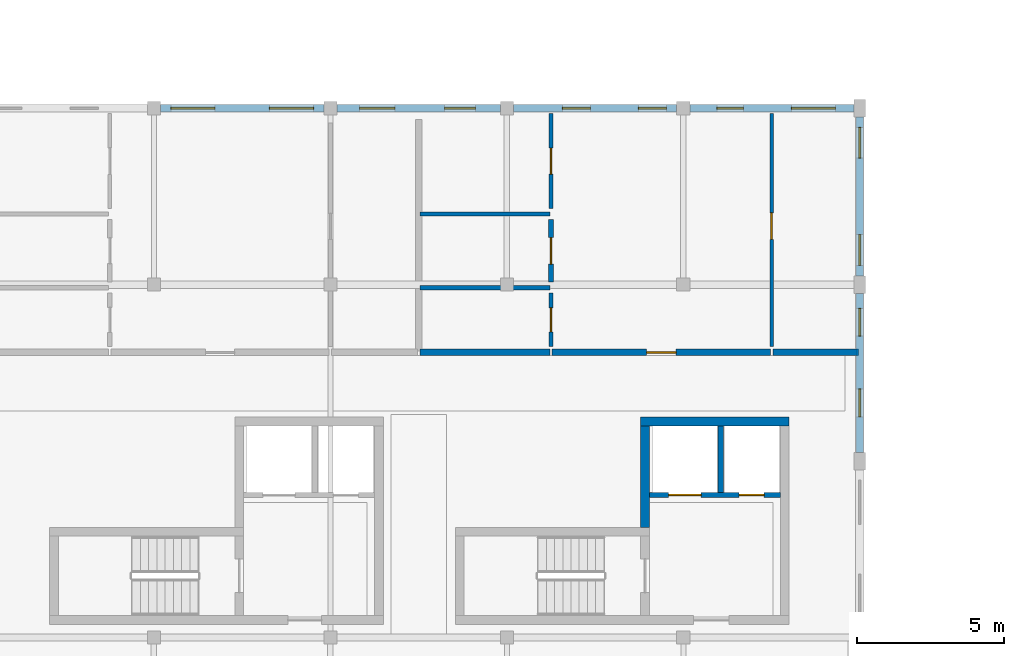
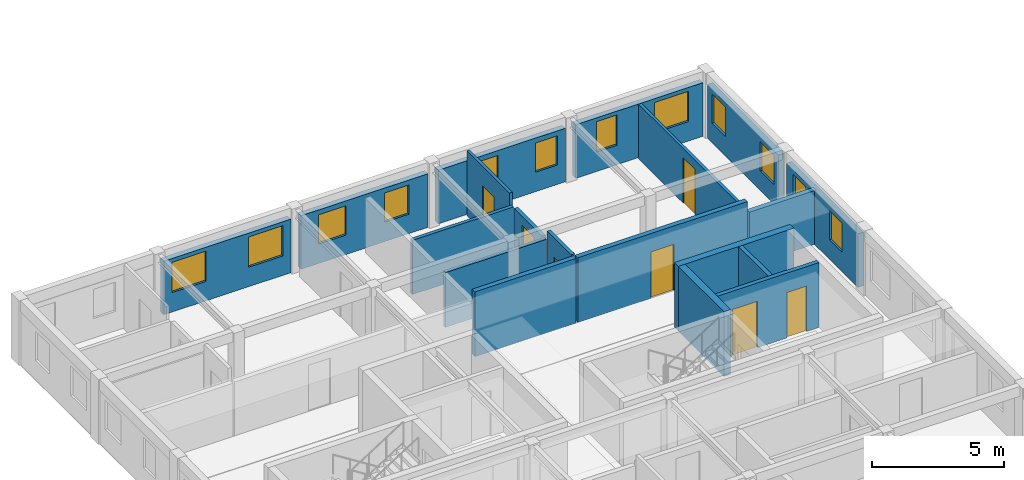
# One storey, part 5 of 9: 19 walls, 12 windows, 7 doors, 19 openings.
"""IFC4 building model written with IfcOpenShell, lengths in metres."""

from ifc_helpers import new_model, si_unit, direction, frame, frame_2d, origin, place, context, subcontext, project, spatial, rectangle, extrude, material, layer, layer_set, type_object, element, fill, save


model = new_model("IFC4")

# Units and contexts
model_context = context("Model", 3, precision=1e-05, world=origin(), true_north=direction((0.0, 1.0)))
body_context = subcontext(model_context, "Body", "Model", "MODEL_VIEW")
ifc_project = project(units=[si_unit("LENGTHUNIT", "METRE"), si_unit("AREAUNIT", "SQUARE_METRE"), si_unit("VOLUMEUNIT", "CUBIC_METRE"), si_unit("PLANEANGLEUNIT", "RADIAN"), si_unit("MASSUNIT", "GRAM", prefix="KILO"), si_unit("POWERUNIT", "WATT"), si_unit("THERMODYNAMICTEMPERATUREUNIT", "KELVIN")], contexts=[model_context])

# Site, building, storey
site_placement = place(None, origin())
site = spatial("IfcSite", under=ifc_project, at=site_placement, CompositionType="ELEMENT")
building_placement = place(site_placement, origin())
building = spatial("IfcBuilding", under=site, at=building_placement, Name="Ruvembo Vaulted Housing Court", CompositionType="ELEMENT")
storey_placement = place(building_placement, frame((0.0, 0.0, 36.5)))
storey = spatial("IfcBuildingStorey", under=building, at=storey_placement, Name="L11", CompositionType="ELEMENT", Elevation=36.5)

# Walls
ifc_material_1 = material(Name="Concrete C35/45", Category="concrete")
ifc_layer_1 = layer(ifc_material_1, 0.300048828125, Name="Concrete C35/45")
ifc_layer_set_1 = layer_set([ifc_layer_1], Name="Concrete C35/45")
wall_type_1 = type_object("IfcWallType", Name="WL-CORE-300", PredefinedType="SHEAR", material=ifc_layer_set_1)
wall_1_placement = place(storey_placement, frame((27.60009765625, 25.35009765625, 0.0), z_axis=(0.0, 0.0, 1.0), x_axis=(-1.0, 0.0, 0.0)))
element("IfcWall", 1, at=wall_1_placement, inside=storey, type_object=wall_type_1, Name="Core A2 L11 North Shear Wall", PredefinedType="SHEAR", context=body_context, shape_type="SweptSolid", body=[
    extrude(rectangle(XDim=5.050048828125, YDim=0.300048828125, at=frame_2d((2.52490234375, 0.0))), origin(), (0.0, 0.0, 1.0), 2.9951171875),
])
wall_2_placement = place(storey_placement, frame((22.699951171875, 21.75, 0.0), z_axis=(0.0, 0.0, 1.0), x_axis=(0.0, 1.0, 0.0)))
element("IfcWall", 2, at=wall_2_placement, inside=storey, type_object=wall_type_1, Name="Core A2 L11 Upper West Shear Wall", PredefinedType="SHEAR", context=body_context, shape_type="SweptSolid", body=[
    extrude(rectangle(XDim=3.449951171875, YDim=0.300048828125, at=frame_2d((1.72509765625, 0.0))), origin(), (0.0, 0.0, 1.0), 2.9951171875),
])
ifc_material_2 = material(Name="Concrete Blockwork 210", Category="masonry")
ifc_layer_2 = layer(ifc_material_2, 0.2099609375, Name="Concrete Blockwork 210")
ifc_layer_set_2 = layer_set([ifc_layer_2], Name="Concrete Blockwork 210")
wall_type_2 = type_object("IfcWallType", Name="WL-CORR-210", PredefinedType="SOLIDWALL", material=ifc_layer_set_2)
wall_3_placement = place(storey_placement, frame((15.0400390625, 27.699951171875, 0.0), z_axis=(0.0, 0.0, 1.0), x_axis=(1.0, 0.0, 0.0)))
element("IfcWall", 3, at=wall_3_placement, inside=storey, type_object=wall_type_2, Name="L11 Flat A-L11-N2 Corridor Wall WL-INT-L11-02297", PredefinedType="SOLIDWALL", context=body_context, shape_type="SweptSolid", body=[
    extrude(rectangle(XDim=4.419921875, YDim=0.2099609375, at=frame_2d((2.2099609375, 0.0))), origin(), (0.0, 0.0, 1.0), 2.9951171875),
])

# Wall, opening, door
wall_4_placement = place(storey_placement, frame((19.5400390625, 27.699951171875, 0.0), z_axis=(0.0, 0.0, 1.0), x_axis=(1.0, 0.0, 0.0)))
wall_4 = element("IfcWall", 4, at=wall_4_placement, inside=storey, type_object=wall_type_2, Name="L11 Flat A-L11-N2 Entrance WL-INT-L11-02298", PredefinedType="SOLIDWALL", context=body_context, shape_type="SweptSolid", body=[
    extrude(rectangle(XDim=7.419921875, YDim=0.2099609375, at=frame_2d((3.7099609375, 0.0))), origin(), (0.0, 0.0, 1.0), 2.9951171875),
])
opening_1_placement = place(wall_4_placement, frame((3.2099609375, 0.0, 0.0)))
opening_1 = element("IfcOpeningElement", 5, at=opening_1_placement, cuts=wall_4, Name="Opening FD1", PredefinedType="OPENING", context=body_context, shape_type="SweptSolid", body=[
    extrude(rectangle(XDim=1.0, YDim=2.14990234375, at=frame_2d((0.5, 1.074951171875))), frame((0.0, 0.114990234375, 0.0), z_axis=(0.0, -1.0, 0.0), x_axis=(1.0, 0.0, 0.0)), (0.0, 0.0, 1.0), 0.22998046875),
])
ifc_material_3 = material(Name="FSC Hardwood and Engineered Timber", Category="wood")
door_type_1 = type_object("IfcDoorType", Name="DR-FLAT-1000x2150", OperationType="NOTDEFINED", PredefinedType="DOOR", material=ifc_material_3)
door_1_placement = place(opening_1_placement, origin())
door_1 = element("IfcDoor", 6, at=door_1_placement, inside=storey, type_object=door_type_1, Name="L11 Flat A-L11-N2 Entrance Door DR-INT-L11-01272", OperationType="SINGLE_SWING_RIGHT", OverallHeight=2.14990234375, OverallWidth=1.0, PredefinedType="DOOR", context=body_context, shape_type="SweptSolid", body=[
    extrude(rectangle(XDim=1.0, YDim=2.14990234375, at=frame_2d((0.5, 1.074951171875))), frame((0.0, 0.02490234375, 0.0), z_axis=(0.0, -1.0, 0.0), x_axis=(1.0, 0.0, 0.0)), (0.0, 0.0, 1.0), 0.050048828125),
])
fill(opening_1, door_1)

# Wall
wall_5_placement = place(storey_placement, frame((27.0400390625, 27.699951171875, 0.0), z_axis=(0.0, 0.0, 1.0), x_axis=(1.0, 0.0, 0.0)))
element("IfcWall", 7, at=wall_5_placement, inside=storey, type_object=wall_type_2, Name="L11 Flat A-L11-N2 Corridor Wall 2 WL-INT-L11-02304", PredefinedType="SOLIDWALL", context=body_context, shape_type="SweptSolid", body=[
    extrude(rectangle(XDim=2.919921875, YDim=0.2099609375, at=frame_2d((1.4599609375, 0.0))), origin(), (0.0, 0.0, 1.0), 2.47705078125),
])

# Wall, openings, windows
ifc_material_4 = material(Name="Rendered Masonry 245", Category="masonry")
ifc_layer_3 = layer(ifc_material_4, 0.2451171875, Name="Rendered Masonry 245")
ifc_layer_set_3 = layer_set([ifc_layer_3], Name="Rendered Masonry 245")
wall_type_3 = type_object("IfcWallType", Name="WL-EXT-245", PredefinedType="STANDARD", material=ifc_layer_set_3)
wall_6_placement = place(storey_placement, frame((30.0, 24.300048828125, 0.0), z_axis=(0.0, 0.0, 1.0), x_axis=(0.0, 1.0, 0.0)))
wall_6 = element("IfcWall", 8, at=wall_6_placement, inside=storey, type_object=wall_type_3, Name="Block A L11 Exterior Wall EAST #4", PredefinedType="STANDARD", context=body_context, shape_type="SweptSolid", body=[
    extrude(rectangle(XDim=5.39990234375, YDim=0.2451171875, at=frame_2d((2.699951171875, 0.0))), origin(), (0.0, 0.0, 1.0), 2.47705078125),
])
opening_2_placement = place(wall_6_placement, frame((1.205078125, 0.0, 0.89990234375)))
opening_2 = element("IfcOpeningElement", 9, at=opening_2_placement, cuts=wall_6, Name="Opening W07", PredefinedType="OPENING", context=body_context, shape_type="SweptSolid", body=[
    extrude(rectangle(XDim=0.949951171875, YDim=1.35009765625, at=frame_2d((0.47509765625, 0.675048828125))), frame((0.0, 0.132568359375, 0.0), z_axis=(0.0, -1.0, 0.0), x_axis=(1.0, 0.0, 0.0)), (0.0, 0.0, 1.0), 0.26513671875),
])
opening_3_placement = place(wall_6_placement, frame((3.945068359375, 0.0, 0.89990234375)))
opening_3 = element("IfcOpeningElement", 10, at=opening_3_placement, cuts=wall_6, Name="Opening W07", PredefinedType="OPENING", context=body_context, shape_type="SweptSolid", body=[
    extrude(rectangle(XDim=0.949951171875, YDim=1.35009765625, at=frame_2d((0.47509765625, 0.675048828125))), frame((0.0, 0.132568359375, 0.0), z_axis=(0.0, -1.0, 0.0), x_axis=(1.0, 0.0, 0.0)), (0.0, 0.0, 1.0), 0.26513671875),
])
ifc_material_5 = material(Name="Double Solar-Control Glazing in Aluminium Frame", Category="aluminium")
window_type_1 = type_object("IfcWindowType", Name="WIN-0950x1350", PartitioningType="SINGLE_PANEL", PredefinedType="WINDOW", material=ifc_material_5)
window_1_placement = place(opening_2_placement, origin())
window_1 = element("IfcWindow", 11, at=window_1_placement, inside=storey, type_object=window_type_1, Name="Block A L11 Window #487", OverallHeight=1.35009765625, OverallWidth=0.949951171875, PartitioningType="SINGLE_PANEL", PredefinedType="WINDOW", context=body_context, shape_type="SweptSolid", body=[
    extrude(rectangle(XDim=0.949951171875, YDim=1.35009765625, at=frame_2d((0.47509765625, 0.675048828125))), frame((0.0, 0.030029296875, 0.0), z_axis=(0.0, -1.0, 0.0), x_axis=(1.0, 0.0, 0.0)), (0.0, 0.0, 1.0), 0.06005859375),
])
fill(opening_2, window_1)
window_2_placement = place(opening_3_placement, origin())
window_2 = element("IfcWindow", 12, at=window_2_placement, inside=storey, type_object=window_type_1, Name="Block A L11 Window #488", OverallHeight=1.35009765625, OverallWidth=0.949951171875, PartitioningType="SINGLE_PANEL", PredefinedType="WINDOW", context=body_context, shape_type="SweptSolid", body=[
    extrude(rectangle(XDim=0.949951171875, YDim=1.35009765625, at=frame_2d((0.47509765625, 0.675048828125))), frame((0.0, 0.030029296875, 0.0), z_axis=(0.0, -1.0, 0.0), x_axis=(1.0, 0.0, 0.0)), (0.0, 0.0, 1.0), 0.06005859375),
])
fill(opening_3, window_2)

wall_7_placement = place(storey_placement, frame((30.0, 30.300048828125, 0.0), z_axis=(0.0, 0.0, 1.0), x_axis=(0.0, 1.0, 0.0)))
wall_7 = element("IfcWall", 13, at=wall_7_placement, inside=storey, type_object=wall_type_3, Name="Block A L11 Exterior Wall EAST #5", PredefinedType="STANDARD", context=body_context, shape_type="SweptSolid", body=[
    extrude(rectangle(XDim=5.39990234375, YDim=0.2451171875, at=frame_2d((2.699951171875, 0.0))), origin(), (0.0, 0.0, 1.0), 2.47705078125),
])
opening_4_placement = place(wall_7_placement, frame((0.35009765625, 0.0, 0.89990234375)))
opening_4 = element("IfcOpeningElement", 14, at=opening_4_placement, cuts=wall_7, Name="Opening W09", PredefinedType="OPENING", context=body_context, shape_type="SweptSolid", body=[
    extrude(rectangle(XDim=1.050048828125, YDim=1.35009765625, at=frame_2d((0.52490234375, 0.675048828125))), frame((0.0, 0.132568359375, 0.0), z_axis=(0.0, -1.0, 0.0), x_axis=(1.0, 0.0, 0.0)), (0.0, 0.0, 1.0), 0.26513671875),
])
opening_5_placement = place(wall_7_placement, frame((4.0, 0.0, 0.89990234375)))
opening_5 = element("IfcOpeningElement", 15, at=opening_5_placement, cuts=wall_7, Name="Opening W09", PredefinedType="OPENING", context=body_context, shape_type="SweptSolid", body=[
    extrude(rectangle(XDim=1.050048828125, YDim=1.35009765625, at=frame_2d((0.52490234375, 0.675048828125))), frame((0.0, 0.132568359375, 0.0), z_axis=(0.0, -1.0, 0.0), x_axis=(1.0, 0.0, 0.0)), (0.0, 0.0, 1.0), 0.26513671875),
])
window_type_2 = type_object("IfcWindowType", Name="WIN-1050x1350", PartitioningType="SINGLE_PANEL", PredefinedType="WINDOW", material=ifc_material_5)
window_3_placement = place(opening_4_placement, origin())
window_3 = element("IfcWindow", 16, at=window_3_placement, inside=storey, type_object=window_type_2, Name="Block A L11 Window #489", OverallHeight=1.35009765625, OverallWidth=1.050048828125, PartitioningType="SINGLE_PANEL", PredefinedType="WINDOW", context=body_context, shape_type="SweptSolid", body=[
    extrude(rectangle(XDim=1.050048828125, YDim=1.35009765625, at=frame_2d((0.52490234375, 0.675048828125))), frame((0.0, 0.030029296875, 0.0), z_axis=(0.0, -1.0, 0.0), x_axis=(1.0, 0.0, 0.0)), (0.0, 0.0, 1.0), 0.06005859375),
])
fill(opening_4, window_3)
window_4_placement = place(opening_5_placement, origin())
window_4 = element("IfcWindow", 17, at=window_4_placement, inside=storey, type_object=window_type_2, Name="Block A L11 Window #490", OverallHeight=1.35009765625, OverallWidth=1.050048828125, PartitioningType="SINGLE_PANEL", PredefinedType="WINDOW", context=body_context, shape_type="SweptSolid", body=[
    extrude(rectangle(XDim=1.050048828125, YDim=1.35009765625, at=frame_2d((0.52490234375, 0.675048828125))), frame((0.0, 0.030029296875, 0.0), z_axis=(0.0, -1.0, 0.0), x_axis=(1.0, 0.0, 0.0)), (0.0, 0.0, 1.0), 0.06005859375),
])
fill(opening_5, window_4)

wall_8_placement = place(storey_placement, frame((29.800048828125, 36.0, 0.0), z_axis=(0.0, 0.0, 1.0), x_axis=(-1.0, 0.0, 0.0)))
wall_8 = element("IfcWall", 18, at=wall_8_placement, inside=storey, type_object=wall_type_3, Name="Block A L11 Exterior Wall COURTYARD #1", PredefinedType="STANDARD", context=body_context, shape_type="SweptSolid", body=[
    extrude(rectangle(XDim=5.574951171875, YDim=0.2451171875, at=frame_2d((2.78759765625, 0.0))), origin(), (0.0, 0.0, 1.0), 2.47705078125),
])
opening_6_placement = place(wall_8_placement, frame((0.6298828125, 0.0, 0.89990234375)))
opening_6 = element("IfcOpeningElement", 19, at=opening_6_placement, cuts=wall_8, Name="Opening W18", PredefinedType="OPENING", context=body_context, shape_type="SweptSolid", body=[
    extrude(rectangle(XDim=1.5, YDim=1.39990234375, at=frame_2d((0.75, 0.699951171875))), frame((0.0, 0.132568359375, 0.0), z_axis=(0.0, -1.0, 0.0), x_axis=(1.0, 0.0, 0.0)), (0.0, 0.0, 1.0), 0.26513671875),
])
opening_7_placement = place(wall_8_placement, frame((3.757568359375, 0.0, 0.89990234375)))
opening_7 = element("IfcOpeningElement", 20, at=opening_7_placement, cuts=wall_8, Name="Opening W05", PredefinedType="OPENING", context=body_context, shape_type="SweptSolid", body=[
    extrude(rectangle(XDim=0.89990234375, YDim=1.39990234375, at=frame_2d((0.449951171875, 0.699951171875))), frame((0.0, 0.132568359375, 0.0), z_axis=(0.0, -1.0, 0.0), x_axis=(1.0, 0.0, 0.0)), (0.0, 0.0, 1.0), 0.26513671875),
])
window_type_3 = type_object("IfcWindowType", Name="WIN-0900x1400", PartitioningType="SINGLE_PANEL", PredefinedType="WINDOW", material=ifc_material_5)
window_5_placement = place(opening_7_placement, origin())
window_5 = element("IfcWindow", 21, at=window_5_placement, inside=storey, type_object=window_type_3, Name="Block A L11 Window #492", OverallHeight=1.39990234375, OverallWidth=0.89990234375, PartitioningType="SINGLE_PANEL", PredefinedType="WINDOW", context=body_context, shape_type="SweptSolid", body=[
    extrude(rectangle(XDim=0.89990234375, YDim=1.39990234375, at=frame_2d((0.449951171875, 0.699951171875))), frame((0.0, 0.030029296875, 0.0), z_axis=(0.0, -1.0, 0.0), x_axis=(1.0, 0.0, 0.0)), (0.0, 0.0, 1.0), 0.06005859375),
])
fill(opening_7, window_5)
window_type_4 = type_object("IfcWindowType", Name="WIN-1500x1400", PartitioningType="SINGLE_PANEL", PredefinedType="WINDOW", material=ifc_material_5)
window_6_placement = place(opening_6_placement, origin())
window_6 = element("IfcWindow", 22, at=window_6_placement, inside=storey, type_object=window_type_4, Name="Block A L11 Window #491", OverallHeight=1.39990234375, OverallWidth=1.5, PartitioningType="SINGLE_PANEL", PredefinedType="WINDOW", context=body_context, shape_type="SweptSolid", body=[
    extrude(rectangle(XDim=1.5, YDim=1.39990234375, at=frame_2d((0.75, 0.699951171875))), frame((0.0, 0.030029296875, 0.0), z_axis=(0.0, -1.0, 0.0), x_axis=(1.0, 0.0, 0.0)), (0.0, 0.0, 1.0), 0.06005859375),
])
fill(opening_6, window_6)

wall_9_placement = place(storey_placement, frame((23.77490234375, 36.0, 0.0), z_axis=(0.0, 0.0, 1.0), x_axis=(-1.0, 0.0, 0.0)))
wall_9 = element("IfcWall", 23, at=wall_9_placement, inside=storey, type_object=wall_type_3, Name="Block A L11 Exterior Wall COURTYARD #2", PredefinedType="STANDARD", context=body_context, shape_type="SweptSolid", body=[
    extrude(rectangle(XDim=5.5498046875, YDim=0.2451171875, at=frame_2d((2.77490234375, 0.0))), origin(), (0.0, 0.0, 1.0), 2.47705078125),
])
opening_8_placement = place(wall_9_placement, frame((0.35009765625, 0.0, 0.89990234375)))
opening_8 = element("IfcOpeningElement", 24, at=opening_8_placement, cuts=wall_9, Name="Opening W07", PredefinedType="OPENING", context=body_context, shape_type="SweptSolid", body=[
    extrude(rectangle(XDim=0.949951171875, YDim=1.35009765625, at=frame_2d((0.47509765625, 0.675048828125))), frame((0.0, 0.132568359375, 0.0), z_axis=(0.0, -1.0, 0.0), x_axis=(1.0, 0.0, 0.0)), (0.0, 0.0, 1.0), 0.26513671875),
])
opening_9_placement = place(wall_9_placement, frame((2.93505859375, 0.0, 0.89990234375)))
opening_9 = element("IfcOpeningElement", 25, at=opening_9_placement, cuts=wall_9, Name="Opening W07", PredefinedType="OPENING", context=body_context, shape_type="SweptSolid", body=[
    extrude(rectangle(XDim=0.949951171875, YDim=1.35009765625, at=frame_2d((0.47509765625, 0.675048828125))), frame((0.0, 0.132568359375, 0.0), z_axis=(0.0, -1.0, 0.0), x_axis=(1.0, 0.0, 0.0)), (0.0, 0.0, 1.0), 0.26513671875),
])
window_7_placement = place(opening_8_placement, origin())
window_7 = element("IfcWindow", 26, at=window_7_placement, inside=storey, type_object=window_type_1, Name="Block A L11 Window #493", OverallHeight=1.35009765625, OverallWidth=0.949951171875, PartitioningType="SINGLE_PANEL", PredefinedType="WINDOW", context=body_context, shape_type="SweptSolid", body=[
    extrude(rectangle(XDim=0.949951171875, YDim=1.35009765625, at=frame_2d((0.47509765625, 0.675048828125))), frame((0.0, 0.030029296875, 0.0), z_axis=(0.0, -1.0, 0.0), x_axis=(1.0, 0.0, 0.0)), (0.0, 0.0, 1.0), 0.06005859375),
])
fill(opening_8, window_7)
window_8_placement = place(opening_9_placement, origin())
window_8 = element("IfcWindow", 27, at=window_8_placement, inside=storey, type_object=window_type_1, Name="Block A L11 Window #494", OverallHeight=1.35009765625, OverallWidth=0.949951171875, PartitioningType="SINGLE_PANEL", PredefinedType="WINDOW", context=body_context, shape_type="SweptSolid", body=[
    extrude(rectangle(XDim=0.949951171875, YDim=1.35009765625, at=frame_2d((0.47509765625, 0.675048828125))), frame((0.0, 0.030029296875, 0.0), z_axis=(0.0, -1.0, 0.0), x_axis=(1.0, 0.0, 0.0)), (0.0, 0.0, 1.0), 0.06005859375),
])
fill(opening_9, window_8)

wall_10_placement = place(storey_placement, frame((17.77490234375, 36.0, 0.0), z_axis=(0.0, 0.0, 1.0), x_axis=(-1.0, 0.0, 0.0)))
wall_10 = element("IfcWall", 28, at=wall_10_placement, inside=storey, type_object=wall_type_3, Name="Block A L11 Exterior Wall COURTYARD #3", PredefinedType="STANDARD", context=body_context, shape_type="SweptSolid", body=[
    extrude(rectangle(XDim=5.5498046875, YDim=0.2451171875, at=frame_2d((2.77490234375, 0.0))), origin(), (0.0, 0.0, 1.0), 2.47705078125),
])
opening_10_placement = place(wall_10_placement, frame((0.842529296875, 0.0, 0.89990234375)))
opening_10 = element("IfcOpeningElement", 29, at=opening_10_placement, cuts=wall_10, Name="Opening W09", PredefinedType="OPENING", context=body_context, shape_type="SweptSolid", body=[
    extrude(rectangle(XDim=1.050048828125, YDim=1.35009765625, at=frame_2d((0.52490234375, 0.675048828125))), frame((0.0, 0.132568359375, 0.0), z_axis=(0.0, -1.0, 0.0), x_axis=(1.0, 0.0, 0.0)), (0.0, 0.0, 1.0), 0.26513671875),
])
opening_11_placement = place(wall_10_placement, frame((3.58251953125, 0.0, 0.89990234375)))
opening_11 = element("IfcOpeningElement", 30, at=opening_11_placement, cuts=wall_10, Name="Opening W12", PredefinedType="OPENING", context=body_context, shape_type="SweptSolid", body=[
    extrude(rectangle(XDim=1.199951171875, YDim=1.35009765625, at=frame_2d((0.60009765625, 0.675048828125))), frame((0.0, 0.132568359375, 0.0), z_axis=(0.0, -1.0, 0.0), x_axis=(1.0, 0.0, 0.0)), (0.0, 0.0, 1.0), 0.26513671875),
])
window_9_placement = place(opening_10_placement, origin())
window_9 = element("IfcWindow", 31, at=window_9_placement, inside=storey, type_object=window_type_2, Name="Block A L11 Window #495", OverallHeight=1.35009765625, OverallWidth=1.050048828125, PartitioningType="SINGLE_PANEL", PredefinedType="WINDOW", context=body_context, shape_type="SweptSolid", body=[
    extrude(rectangle(XDim=1.050048828125, YDim=1.35009765625, at=frame_2d((0.52490234375, 0.675048828125))), frame((0.0, 0.030029296875, 0.0), z_axis=(0.0, -1.0, 0.0), x_axis=(1.0, 0.0, 0.0)), (0.0, 0.0, 1.0), 0.06005859375),
])
fill(opening_10, window_9)
window_type_5 = type_object("IfcWindowType", Name="WIN-1200x1350", PartitioningType="SINGLE_PANEL", PredefinedType="WINDOW", material=ifc_material_5)
window_10_placement = place(opening_11_placement, origin())
window_10 = element("IfcWindow", 32, at=window_10_placement, inside=storey, type_object=window_type_5, Name="Block A L11 Window #496", OverallHeight=1.35009765625, OverallWidth=1.199951171875, PartitioningType="SINGLE_PANEL", PredefinedType="WINDOW", context=body_context, shape_type="SweptSolid", body=[
    extrude(rectangle(XDim=1.199951171875, YDim=1.35009765625, at=frame_2d((0.60009765625, 0.675048828125))), frame((0.0, 0.030029296875, 0.0), z_axis=(0.0, -1.0, 0.0), x_axis=(1.0, 0.0, 0.0)), (0.0, 0.0, 1.0), 0.06005859375),
])
fill(opening_11, window_10)

wall_11_placement = place(storey_placement, frame((11.77490234375, 36.0, 0.0), z_axis=(0.0, 0.0, 1.0), x_axis=(-1.0, 0.0, 0.0)))
wall_11 = element("IfcWall", 33, at=wall_11_placement, inside=storey, type_object=wall_type_3, Name="Block A L11 Exterior Wall COURTYARD #4", PredefinedType="STANDARD", context=body_context, shape_type="SweptSolid", body=[
    extrude(rectangle(XDim=5.5498046875, YDim=0.2451171875, at=frame_2d((2.77490234375, 0.0))), origin(), (0.0, 0.0, 1.0), 2.47705078125),
])
opening_12_placement = place(wall_11_placement, frame((0.35009765625, 0.0, 0.89990234375)))
opening_12 = element("IfcOpeningElement", 34, at=opening_12_placement, cuts=wall_11, Name="Opening W18", PredefinedType="OPENING", context=body_context, shape_type="SweptSolid", body=[
    extrude(rectangle(XDim=1.5, YDim=1.39990234375, at=frame_2d((0.75, 0.699951171875))), frame((0.0, 0.132568359375, 0.0), z_axis=(0.0, -1.0, 0.0), x_axis=(1.0, 0.0, 0.0)), (0.0, 0.0, 1.0), 0.26513671875),
])
opening_13_placement = place(wall_11_placement, frame((3.699951171875, 0.0, 0.89990234375)))
opening_13 = element("IfcOpeningElement", 35, at=opening_13_placement, cuts=wall_11, Name="Opening W18", PredefinedType="OPENING", context=body_context, shape_type="SweptSolid", body=[
    extrude(rectangle(XDim=1.5, YDim=1.39990234375, at=frame_2d((0.75, 0.699951171875))), frame((0.0, 0.132568359375, 0.0), z_axis=(0.0, -1.0, 0.0), x_axis=(1.0, 0.0, 0.0)), (0.0, 0.0, 1.0), 0.26513671875),
])
window_11_placement = place(opening_12_placement, origin())
window_11 = element("IfcWindow", 36, at=window_11_placement, inside=storey, type_object=window_type_4, Name="Block A L11 Window #497", OverallHeight=1.39990234375, OverallWidth=1.5, PartitioningType="SINGLE_PANEL", PredefinedType="WINDOW", context=body_context, shape_type="SweptSolid", body=[
    extrude(rectangle(XDim=1.5, YDim=1.39990234375, at=frame_2d((0.75, 0.699951171875))), frame((0.0, 0.030029296875, 0.0), z_axis=(0.0, -1.0, 0.0), x_axis=(1.0, 0.0, 0.0)), (0.0, 0.0, 1.0), 0.06005859375),
])
fill(opening_12, window_11)
window_12_placement = place(opening_13_placement, origin())
window_12 = element("IfcWindow", 37, at=window_12_placement, inside=storey, type_object=window_type_4, Name="Block A L11 Window #498", OverallHeight=1.39990234375, OverallWidth=1.5, PartitioningType="SINGLE_PANEL", PredefinedType="WINDOW", context=body_context, shape_type="SweptSolid", body=[
    extrude(rectangle(XDim=1.5, YDim=1.39990234375, at=frame_2d((0.75, 0.699951171875))), frame((0.0, 0.030029296875, 0.0), z_axis=(0.0, -1.0, 0.0), x_axis=(1.0, 0.0, 0.0)), (0.0, 0.0, 1.0), 0.06005859375),
])
fill(opening_13, window_12)

# Wall, opening, door
ifc_material_6 = material(Name="Plasterboard Stud Partition 125", Category="gypsum")
ifc_layer_4 = layer(ifc_material_6, 0.125, Name="Plasterboard Stud Partition 125")
ifc_layer_set_4 = layer_set([ifc_layer_4], Name="Plasterboard Stud Partition 125")
wall_type_4 = type_object("IfcWallType", Name="WL-PART-125", PredefinedType="PARTITIONING", material=ifc_layer_set_4)
wall_12_placement = place(storey_placement, frame((19.5, 32.590087890625, 0.0), z_axis=(0.0, 0.0, 1.0), x_axis=(0.0, 1.0, 0.0)))
wall_12 = element("IfcWall", 38, at=wall_12_placement, inside=storey, type_object=wall_type_4, Name="L11 Flat A-L11-N2 Bedroom 1 WL-INT-L11-02299", PredefinedType="PARTITIONING", context=body_context, shape_type="SweptSolid", body=[
    extrude(rectangle(XDim=3.219970703125, YDim=0.125, at=frame_2d((1.60986328125, 0.0))), origin(), (0.0, 0.0, 1.0), 2.9951171875),
])
opening_14_placement = place(wall_12_placement, frame((1.169921875, 0.0, 0.0)))
opening_14 = element("IfcOpeningElement", 39, at=opening_14_placement, cuts=wall_12, Name="Opening ID3", PredefinedType="OPENING", context=body_context, shape_type="SweptSolid", body=[
    extrude(rectangle(XDim=0.8798828125, YDim=2.10009765625, at=frame_2d((0.43994140625, 1.050048828125))), frame((0.0, 0.072509765625, 0.0), z_axis=(0.0, -1.0, 0.0), x_axis=(1.0, 0.0, 0.0)), (0.0, 0.0, 1.0), 0.14501953125),
])
door_type_2 = type_object("IfcDoorType", Name="DR-ROOM-0880x2100", OperationType="NOTDEFINED", PredefinedType="DOOR", material=ifc_material_3)
door_2_placement = place(opening_14_placement, origin())
door_2 = element("IfcDoor", 40, at=door_2_placement, inside=storey, type_object=door_type_2, Name="L11 Flat A-L11-N2 Bedroom 1 Door DR-INT-L11-01273", OperationType="SINGLE_SWING_LEFT", OverallHeight=2.10009765625, OverallWidth=0.8798828125, PredefinedType="DOOR", context=body_context, shape_type="SweptSolid", body=[
    extrude(rectangle(XDim=0.8798828125, YDim=2.10009765625, at=frame_2d((0.43994140625, 1.050048828125))), frame((0.0, 0.02490234375, 0.0), z_axis=(0.0, -1.0, 0.0), x_axis=(1.0, 0.0, 0.0)), (0.0, 0.0, 1.0), 0.050048828125),
])
fill(opening_14, door_2)

wall_13_placement = place(storey_placement, frame((27.0, 27.889892578125, 0.0), z_axis=(0.0, 0.0, 1.0), x_axis=(0.0, 1.0, 0.0)))
wall_13 = element("IfcWall", 41, at=wall_13_placement, inside=storey, type_object=wall_type_4, Name="L11 Flat A-L11-N2 Bedroom 2 WL-INT-L11-02305", PredefinedType="PARTITIONING", context=body_context, shape_type="SweptSolid", body=[
    extrude(rectangle(XDim=7.920166015625, YDim=0.125, at=frame_2d((3.9599609375, 0.0))), origin(), (0.0, 0.0, 1.0), 2.527099609375),
])
opening_15_placement = place(wall_13_placement, frame((3.64990234375, 0.0, 0.0)))
opening_15 = element("IfcOpeningElement", 42, at=opening_15_placement, cuts=wall_13, Name="Opening ID1", PredefinedType="OPENING", context=body_context, shape_type="SweptSolid", body=[
    extrude(rectangle(XDim=0.89990234375, YDim=2.10009765625, at=frame_2d((0.449951171875, 1.050048828125))), frame((0.0, 0.072509765625, 0.0), z_axis=(0.0, -1.0, 0.0), x_axis=(1.0, 0.0, 0.0)), (0.0, 0.0, 1.0), 0.14501953125),
])
door_type_3 = type_object("IfcDoorType", Name="DR-ROOM-0900x2100", OperationType="NOTDEFINED", PredefinedType="DOOR", material=ifc_material_3)
door_3_placement = place(opening_15_placement, origin())
door_3 = element("IfcDoor", 43, at=door_3_placement, inside=storey, type_object=door_type_3, Name="L11 Flat A-L11-N2 Bedroom 2 Door DR-INT-L11-01276", OperationType="SINGLE_SWING_RIGHT", OverallHeight=2.10009765625, OverallWidth=0.89990234375, PredefinedType="DOOR", context=body_context, shape_type="SweptSolid", body=[
    extrude(rectangle(XDim=0.89990234375, YDim=2.10009765625, at=frame_2d((0.449951171875, 1.050048828125))), frame((0.0, 0.02490234375, 0.0), z_axis=(0.0, -1.0, 0.0), x_axis=(1.0, 0.0, 0.0)), (0.0, 0.0, 1.0), 0.050048828125),
])
fill(opening_15, door_3)

ifc_material_7 = material(Name="Moisture-Resistant Wet Partition 150", Category="gypsum")
ifc_layer_5 = layer(ifc_material_7, 0.14990234375, Name="Moisture-Resistant Wet Partition 150")
ifc_layer_set_5 = layer_set([ifc_layer_5], Name="Moisture-Resistant Wet Partition 150")
wall_type_5 = type_object("IfcWallType", Name="WL-PART-150", PredefinedType="PARTITIONING", material=ifc_layer_set_5)
wall_14_placement = place(storey_placement, frame((19.5, 27.889892578125, 0.0), z_axis=(0.0, 0.0, 1.0), x_axis=(0.0, 1.0, 0.0)))
wall_14 = element("IfcWall", 44, at=wall_14_placement, inside=storey, type_object=wall_type_5, Name="L11 Flat A-L11-N2 Bathroom WL-INT-L11-02301", PredefinedType="PARTITIONING", context=body_context, shape_type="SweptSolid", body=[
    extrude(rectangle(XDim=1.820068359375, YDim=0.14990234375, at=frame_2d((0.91015625, 0.0))), origin(), (0.0, 0.0, 1.0), 2.9951171875),
])
opening_16_placement = place(wall_14_placement, frame((0.5, 0.0, 0.0)))
opening_16 = element("IfcOpeningElement", 45, at=opening_16_placement, cuts=wall_14, Name="Opening ID4", PredefinedType="OPENING", context=body_context, shape_type="SweptSolid", body=[
    extrude(rectangle(XDim=0.820068359375, YDim=2.080078125, at=frame_2d((0.41015625, 1.0400390625))), frame((0.0, 0.0849609375, 0.0), z_axis=(0.0, -1.0, 0.0), x_axis=(1.0, 0.0, 0.0)), (0.0, 0.0, 1.0), 0.169921875),
])
door_type_4 = type_object("IfcDoorType", Name="DR-WET-0820x2080", OperationType="NOTDEFINED", PredefinedType="DOOR", material=ifc_material_3)
door_4_placement = place(opening_16_placement, origin())
door_4 = element("IfcDoor", 46, at=door_4_placement, inside=storey, type_object=door_type_4, Name="L11 Flat A-L11-N2 Bathroom Door DR-INT-L11-01275", OperationType="SINGLE_SWING_LEFT", OverallHeight=2.080078125, OverallWidth=0.820068359375, PredefinedType="DOOR", context=body_context, shape_type="SweptSolid", body=[
    extrude(rectangle(XDim=0.820068359375, YDim=2.080078125, at=frame_2d((0.41015625, 1.0400390625))), frame((0.0, 0.02490234375, 0.0), z_axis=(0.0, -1.0, 0.0), x_axis=(1.0, 0.0, 0.0)), (0.0, 0.0, 1.0), 0.050048828125),
])
fill(opening_16, door_4)

# Walls
wall_15_placement = place(storey_placement, frame((15.0400390625, 32.39990234375, 0.0), z_axis=(0.0, 0.0, 1.0), x_axis=(1.0, 0.0, 0.0)))
element("IfcWall", 47, at=wall_15_placement, inside=storey, type_object=wall_type_5, Name="L11 Flat A-L11-N2 Wet Wall 1 WL-INT-L11-02302", PredefinedType="PARTITIONING", context=body_context, shape_type="SweptSolid", body=[
    extrude(rectangle(XDim=4.419921875, YDim=0.14990234375, at=frame_2d((2.2099609375, 0.0))), origin(), (0.0, 0.0, 1.0), 2.508056640625),
])
wall_16_placement = place(storey_placement, frame((15.0400390625, 29.89990234375, 0.0), z_axis=(0.0, 0.0, 1.0), x_axis=(1.0, 0.0, 0.0)))
element("IfcWall", 48, at=wall_16_placement, inside=storey, type_object=wall_type_5, Name="L11 Flat A-L11-N2 Wet Wall 2 WL-INT-L11-02303", PredefinedType="PARTITIONING", context=body_context, shape_type="SweptSolid", body=[
    extrude(rectangle(XDim=4.419921875, YDim=0.14990234375, at=frame_2d((2.2099609375, 0.0))), origin(), (0.0, 0.0, 1.0), 2.527099609375),
])

# Wall, opening, door
ifc_material_8 = material(Name="Acoustic Service Chase Wall 160", Category="gypsum")
ifc_layer_6 = layer(ifc_material_8, 0.159912109375, Name="Acoustic Service Chase Wall 160")
ifc_layer_set_6 = layer_set([ifc_layer_6], Name="Acoustic Service Chase Wall 160")
wall_type_6 = type_object("IfcWallType", Name="WL-PLUMB-160", PredefinedType="PLUMBINGWALL", material=ifc_layer_set_6)
wall_17_placement = place(storey_placement, frame((19.5, 30.090087890625, 0.0), z_axis=(0.0, 0.0, 1.0), x_axis=(0.0, 1.0, 0.0)))
wall_17 = element("IfcWall", 49, at=wall_17_placement, inside=storey, type_object=wall_type_6, Name="L11 Flat A-L11-N2 Kitchen WL-INT-L11-02300", PredefinedType="PLUMBINGWALL", context=body_context, shape_type="SweptSolid", body=[
    extrude(rectangle(XDim=2.119873046875, YDim=0.159912109375, at=frame_2d((1.06005859375, 0.0))), origin(), (0.0, 0.0, 1.0), 2.527099609375),
])
opening_17_placement = place(wall_17_placement, frame((0.610107421875, 0.0, 0.0)))
opening_17 = element("IfcOpeningElement", 50, at=opening_17_placement, cuts=wall_17, Name="Opening ID1", PredefinedType="OPENING", context=body_context, shape_type="SweptSolid", body=[
    extrude(rectangle(XDim=0.89990234375, YDim=2.10009765625, at=frame_2d((0.449951171875, 1.050048828125))), frame((0.0, 0.08984375, 0.0), z_axis=(0.0, -1.0, 0.0), x_axis=(1.0, 0.0, 0.0)), (0.0, 0.0, 1.0), 0.179931640625),
])
door_5_placement = place(opening_17_placement, origin())
door_5 = element("IfcDoor", 51, at=door_5_placement, inside=storey, type_object=door_type_3, Name="L11 Flat A-L11-N2 Kitchen Door DR-INT-L11-01274", OperationType="SINGLE_SWING_RIGHT", OverallHeight=2.10009765625, OverallWidth=0.89990234375, PredefinedType="DOOR", context=body_context, shape_type="SweptSolid", body=[
    extrude(rectangle(XDim=0.89990234375, YDim=2.10009765625, at=frame_2d((0.449951171875, 1.050048828125))), frame((0.0, 0.02490234375, 0.0), z_axis=(0.0, -1.0, 0.0), x_axis=(1.0, 0.0, 0.0)), (0.0, 0.0, 1.0), 0.050048828125),
])
fill(opening_17, door_5)

# Wall, openings, doors
ifc_material_9 = material(Name="Fire-Rated Masonry Shaft 180", Category="masonry")
ifc_layer_7 = layer(ifc_material_9, 0.179931640625, Name="Fire-Rated Masonry Shaft 180")
ifc_layer_set_7 = layer_set([ifc_layer_7], Name="Fire-Rated Masonry Shaft 180")
wall_type_7 = type_object("IfcWallType", Name="WL-SHAFT-180", PredefinedType="SOLIDWALL", material=ifc_layer_set_7)
wall_18_placement = place(storey_placement, frame((22.85009765625, 22.85009765625, 0.0), z_axis=(0.0, 0.0, 1.0), x_axis=(1.0, 0.0, 0.0)))
wall_18 = element("IfcWall", 52, at=wall_18_placement, inside=storey, type_object=wall_type_7, Name="Core A2 L11 Lift and Riser Front Wall", PredefinedType="SOLIDWALL", context=body_context, shape_type="SweptSolid", body=[
    extrude(rectangle(XDim=4.449951171875, YDim=0.179931640625, at=frame_2d((2.22509765625, 0.0))), origin(), (0.0, 0.0, 1.0), 2.9951171875),
])
opening_18_placement = place(wall_18_placement, frame((0.64990234375, 0.0, 0.0)))
opening_18 = element("IfcOpeningElement", 53, at=opening_18_placement, cuts=wall_18, Name="Opening LD-FL-A2-L11", PredefinedType="OPENING", context=body_context, shape_type="SweptSolid", body=[
    extrude(rectangle(XDim=1.10009765625, YDim=2.14990234375, at=frame_2d((0.550048828125, 1.074951171875))), frame((0.0, 0.099853515625, 0.0), z_axis=(0.0, -1.0, 0.0), x_axis=(1.0, 0.0, 0.0)), (0.0, 0.0, 1.0), 0.199951171875),
])
opening_19_placement = place(wall_18_placement, frame((3.050048828125, 0.0, 0.0)))
opening_19 = element("IfcOpeningElement", 54, at=opening_19_placement, cuts=wall_18, Name="Opening RD1", PredefinedType="OPENING", context=body_context, shape_type="SweptSolid", body=[
    extrude(rectangle(XDim=0.85009765625, YDim=2.10009765625, at=frame_2d((0.425048828125, 1.050048828125))), frame((0.0, 0.099853515625, 0.0), z_axis=(0.0, -1.0, 0.0), x_axis=(1.0, 0.0, 0.0)), (0.0, 0.0, 1.0), 0.199951171875),
])
ifc_material_10 = material(Name="Brushed Stainless Steel 304", Category="steel")
door_type_5 = type_object("IfcDoorType", Name="DR-LIFT-1100x2150", OperationType="NOTDEFINED", PredefinedType="DOOR", material=ifc_material_10)
door_6_placement = place(opening_18_placement, origin())
door_6 = element("IfcDoor", 55, at=door_6_placement, inside=storey, type_object=door_type_5, Name="Lift FL-A2 L11 Sliding Landing Door", OperationType="SLIDING_TO_LEFT", OverallHeight=2.14990234375, OverallWidth=1.10009765625, PredefinedType="DOOR", context=body_context, shape_type="SweptSolid", body=[
    extrude(rectangle(XDim=1.10009765625, YDim=2.14990234375, at=frame_2d((0.550048828125, 1.074951171875))), frame((0.0, 0.02490234375, 0.0), z_axis=(0.0, -1.0, 0.0), x_axis=(1.0, 0.0, 0.0)), (0.0, 0.0, 1.0), 0.050048828125),
])
fill(opening_18, door_6)
ifc_material_11 = material(Name="Galvanised Painted Steel", Category="steel")
door_type_6 = type_object("IfcDoorType", Name="DR-RISER-0850x2100", OperationType="NOTDEFINED", PredefinedType="DOOR", material=ifc_material_11)
door_7_placement = place(opening_19_placement, frame((0.85009765625, 0.0, 0.0), z_axis=(0.0, 0.0, 1.0), x_axis=(-1.0, 0.0, 0.0)))
door_7 = element("IfcDoor", 56, at=door_7_placement, inside=storey, type_object=door_type_6, Name="Core A2 L11 Service Riser Door", OperationType="SINGLE_SWING_LEFT", OverallHeight=2.10009765625, OverallWidth=0.85009765625, PredefinedType="DOOR", context=body_context, shape_type="SweptSolid", body=[
    extrude(rectangle(XDim=0.85009765625, YDim=2.10009765625, at=frame_2d((0.425048828125, 1.050048828125))), frame((0.0, 0.02490234375, 0.0), z_axis=(0.0, -1.0, 0.0), x_axis=(1.0, 0.0, 0.0)), (0.0, 0.0, 1.0), 0.050048828125),
])
fill(opening_19, door_7)

# Wall
wall_19_placement = place(storey_placement, frame((25.27001953125, 22.93994140625, 0.0), z_axis=(0.0, 0.0, 1.0), x_axis=(0.0, 1.0, 0.0)))
element("IfcWall", 57, at=wall_19_placement, inside=storey, type_object=wall_type_7, Name="Core A2 L11 Shaft-Riser Divider Wall", PredefinedType="SOLIDWALL", context=body_context, shape_type="SweptSolid", body=[
    extrude(rectangle(XDim=2.260009765625, YDim=0.179931640625, at=frame_2d((1.1298828125, 0.0))), origin(), (0.0, 0.0, 1.0), 2.9951171875),
])

save(model, "model.ifc")
